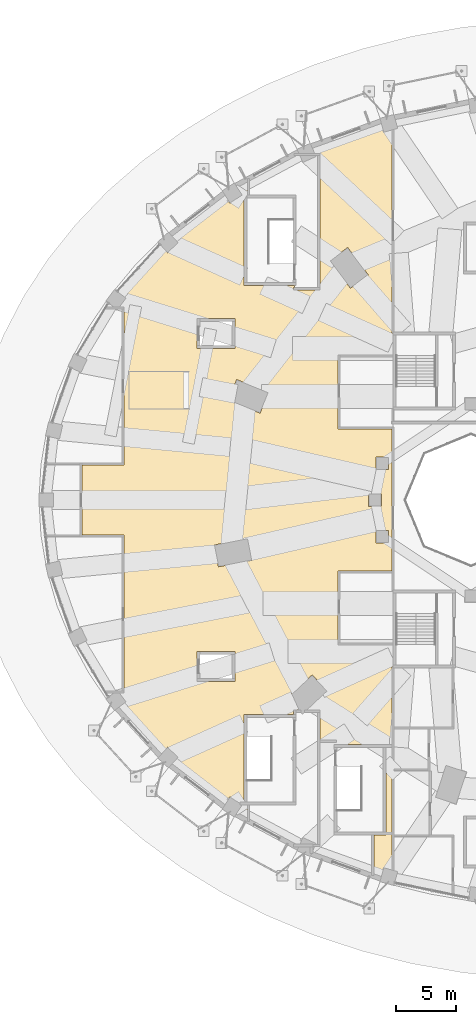
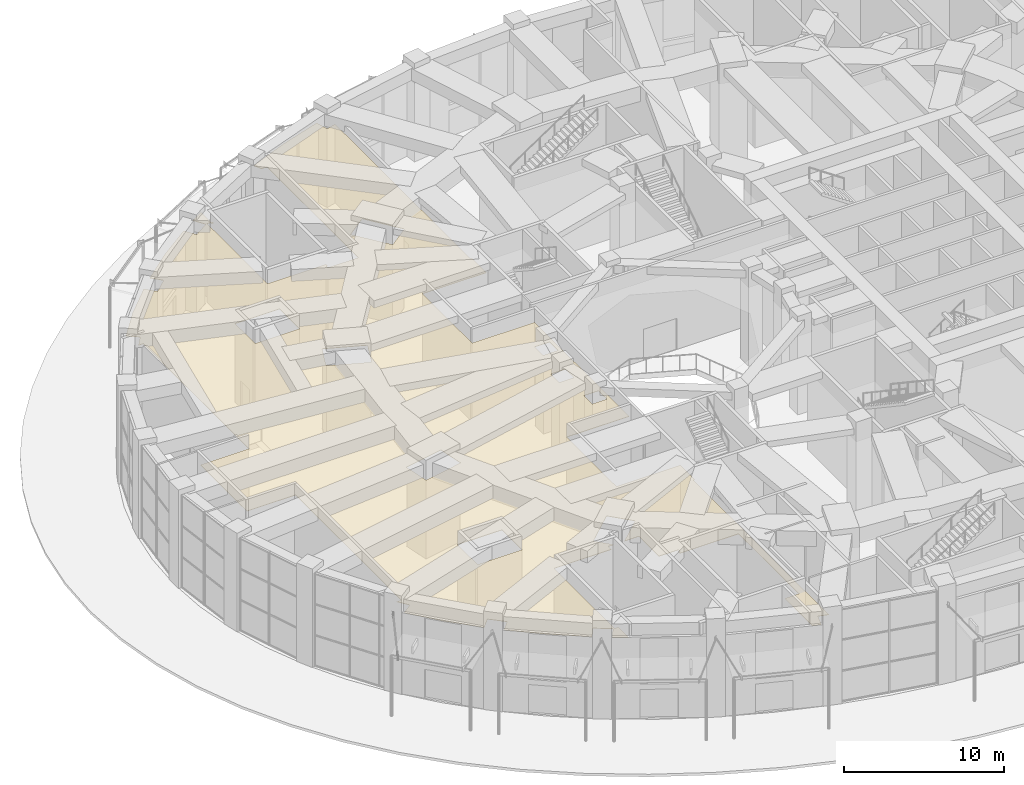
# One storey, part 55 of 60: 1 covering.
"""IFC4 building model written with IfcOpenShell, lengths in metres."""

from ifc_helpers import new_model, si_unit, direction, frame, origin, place, context, subcontext, project, spatial, polyline, outline, extrude, material, layer, layer_set, type_object, element, save


model = new_model("IFC4")

# Units and contexts
model_context = context("Model", 3, precision=1e-05, world=origin(), true_north=direction((0.0, 1.0)))
body_context = subcontext(model_context, "Body", "Model", "MODEL_VIEW")
ifc_project = project(units=[si_unit("LENGTHUNIT", "METRE"), si_unit("AREAUNIT", "SQUARE_METRE"), si_unit("VOLUMEUNIT", "CUBIC_METRE"), si_unit("PLANEANGLEUNIT", "RADIAN"), si_unit("MASSUNIT", "GRAM", prefix="KILO")], contexts=[model_context])

# Site, building, storey
site_placement = place(None, origin())
site = spatial("IfcSite", under=ifc_project, at=site_placement, CompositionType="ELEMENT")
building_placement = place(site_placement, origin())
building = spatial("IfcBuilding", under=site, at=building_placement, Name="Taillehof Tower", CompositionType="ELEMENT")
storey_placement = place(building_placement, origin())
storey = spatial("IfcBuildingStorey", under=building, at=storey_placement, Name="L00", CompositionType="ELEMENT", Elevation=0.0)

# Covering
ifc_material = material(Name="Mineral fibre ceiling tiles")
ifc_layer = layer(ifc_material, 0.030029296875)
ifc_layer_set = layer_set([ifc_layer], Name="Suspended ceiling 30 mm")
covering_type = type_object("IfcCoveringType", Name="Suspended ceiling 30 mm", PredefinedType="CEILING", material=ifc_layer_set)
covering_placement = place(storey_placement, frame((0.0, 0.0, 6.010009765625)))
element("IfcCovering", 1, at=covering_placement, inside=storey, type_object=covering_type, Name="Ceiling L00-35", PredefinedType="CEILING", context=body_context, shape_type="SweptSolid", body=[
    extrude(outline(polyline([(-35.7890625, 19.33935546875), (-33.894287109375, 21.24267578125), (-33.30322265625, 20.60107421875), (-33.30126953125, 20.598876953125), (-33.298828125, 20.59716796875), (-33.29638671875, 20.595458984375), (-33.2939453125, 20.593994140625), (-33.291015625, 20.593017578125), (-33.288330078125, 20.592041015625), (-33.285400390625, 20.591552734375), (-33.282470703125, 20.59130859375), (-33.279541015625, 20.59130859375), (-33.276611328125, 20.591552734375), (-33.273681640625, 20.59228515625), (-33.27099609375, 20.593017578125), (-33.268310546875, 20.59423828125), (-33.265625, 20.595703125), (-33.26318359375, 20.597412109375), (-33.260986328125, 20.59912109375), (-32.378173828125, 21.412109375), (-32.376220703125, 21.414306640625), (-32.374267578125, 21.41650390625), (-32.37255859375, 21.4189453125), (-32.371337890625, 21.421630859375), (-32.3701171875, 21.42431640625), (-32.369384765625, 21.42724609375), (-32.368896484375, 21.429931640625), (-32.36865234375, 21.432861328125), (-32.36865234375, 21.435791015625), (-32.368896484375, 21.438720703125), (-32.369384765625, 21.441650390625), (-32.370361328125, 21.444580078125), (-32.37158203125, 21.447265625), (-32.372802734375, 21.44970703125), (-32.37451171875, 21.4521484375), (-32.37646484375, 21.45458984375), (-32.965087890625, 22.09375), (-30.890869140625, 23.838134765625), (-28.574951171875, 25.4736328125), (-28.09912109375, 24.73974609375), (-28.097412109375, 24.7373046875), (-28.095458984375, 24.735107421875), (-28.09326171875, 24.733154296875), (-28.091064453125, 24.731201171875), (-28.08837890625, 24.729736328125), (-28.0859375, 24.728515625), (-28.0830078125, 24.7275390625), (-28.080322265625, 24.7265625), (-28.077392578125, 24.726318359375), (-28.074462890625, 24.72607421875), (-28.071533203125, 24.72607421875), (-28.068603515625, 24.7265625), (-28.065673828125, 24.727294921875), (-28.06298828125, 24.728271484375), (-28.060302734375, 24.7294921875), (-28.0576171875, 24.73095703125), (-27.05078125, 25.3837890625), (-27.04833984375, 25.385498046875), (-27.046142578125, 25.387451171875), (-27.044189453125, 25.389404296875), (-27.04248046875, 25.391845703125), (-27.040771484375, 25.394287109375), (-27.03955078125, 25.39697265625), (-27.03857421875, 25.399658203125), (-27.037841796875, 25.402587890625), (-27.037353515625, 25.405517578125), (-27.037109375, 25.408447265625), (-27.037109375, 25.411376953125), (-27.03759765625, 25.414306640625), (-27.038330078125, 25.417236328125), (-27.039306640625, 25.419921875), (-27.04052734375, 25.422607421875), (-27.0419921875, 25.42529296875), (-27.51611328125, 26.156494140625), (-26.63916015625, 26.675048828125), (-26.63916015625, 25.4150390625), (-26.539306640625, 25.4150390625), (-26.539306640625, 25.2900390625), (-26.675048828125, 25.2900390625), (-26.675048828125, 25.4150390625), (-26.925048828125, 25.4150390625), (-26.925048828125, 18.125), (-26.925048828125, 17.875), (-22.699951171875, 17.875), (-22.699951171875, 17.699951171875), (-22.800048828125, 17.699951171875), (-22.800048828125, 17.5), (-20.60009765625, 17.5), (-20.60009765625, 17.699951171875), (-20.60009765625, 28.68994140625), (-20.60009765625, 28.889892578125), (-20.994384765625, 28.889892578125), (-21.236328125, 29.432373046875), (-18.4599609375, 30.546142578125), (-15.525390625, 31.48291015625), (-15.28759765625, 30.6376953125), (-15.286865234375, 30.634765625), (-15.28564453125, 30.632080078125), (-15.2841796875, 30.629638671875), (-15.282470703125, 30.627197265625), (-15.280517578125, 30.625), (-15.2783203125, 30.622802734375), (-15.27587890625, 30.62109375), (-15.2734375, 30.61962890625), (-15.270751953125, 30.6181640625), (-15.26806640625, 30.6171875), (-15.265380859375, 30.616455078125), (-15.262451171875, 30.615966796875), (-15.259521484375, 30.61572265625), (-15.256591796875, 30.61572265625), (-15.253662109375, 30.6162109375), (-15.250732421875, 30.61669921875), (-14.60009765625, 30.7998046875), (-14.60009765625, 13.89990234375), (-14.5, 13.89990234375), (-14.5, 12.10009765625), (-18.89990234375, 12.10009765625), (-19.10009765625, 12.10009765625), (-19.10009765625, 6.10009765625), (-19.10009765625, 5.89990234375), (-14.60009765625, 5.89990234375), (-14.60009765625, -5.89990234375), (-18.89990234375, -5.89990234375), (-19.10009765625, -5.89990234375), (-19.10009765625, -11.89990234375), (-19.10009765625, -12.10009765625), (-14.5, -12.10009765625), (-14.5, -13.89990234375), (-14.60009765625, -13.89990234375), (-14.60009765625, -19.10009765625), (-14.60009765625, -22.60009765625), (-14.60009765625, -27.89990234375), (-14.60009765625, -30.7998046875), (-15.250732421875, -30.61669921875), (-15.253662109375, -30.6162109375), (-15.256591796875, -30.61572265625), (-15.259521484375, -30.61572265625), (-15.262451171875, -30.615966796875), (-15.265380859375, -30.616455078125), (-15.26806640625, -30.6171875), (-15.270751953125, -30.6181640625), (-15.2734375, -30.61962890625), (-15.27587890625, -30.62109375), (-15.2783203125, -30.622802734375), (-15.280517578125, -30.625), (-15.282470703125, -30.627197265625), (-15.2841796875, -30.629638671875), (-15.28564453125, -30.632080078125), (-15.286865234375, -30.634765625), (-15.28759765625, -30.6376953125), (-15.525390625, -31.48291015625), (-16.091796875, -31.302001953125), (-16.091796875, -27.9150390625), (-15.074951171875, -27.9150390625), (-15.074951171875, -27.6650390625), (-15.074951171875, -20.625), (-15.074951171875, -20.375), (-19.300048828125, -20.375), (-19.300048828125, -20.199951171875), (-19.199951171875, -20.199951171875), (-19.199951171875, -20.0), (-20.60009765625, -20.0), (-20.60009765625, -17.699951171875), (-20.60009765625, -17.5), (-21.63623046875, -17.5), (-19.983154296875, -15.95263671875), (-19.98095703125, -15.95068359375), (-19.979248046875, -15.9482421875), (-19.9775390625, -15.94580078125), (-19.976318359375, -15.943115234375), (-19.97509765625, -15.9404296875), (-19.974365234375, -15.937744140625), (-19.973876953125, -15.934814453125), (-19.9736328125, -15.931884765625), (-19.9736328125, -15.928955078125), (-19.97412109375, -15.926025390625), (-19.974609375, -15.923095703125), (-19.9755859375, -15.920166015625), (-19.976806640625, -15.91748046875), (-19.97802734375, -15.9150390625), (-19.979736328125, -15.91259765625), (-19.981689453125, -15.910400390625), (-21.211669921875, -14.59619140625), (-21.2138671875, -14.593994140625), (-21.216064453125, -14.59228515625), (-21.218505859375, -14.590576171875), (-21.22119140625, -14.58935546875), (-21.223876953125, -14.588134765625), (-21.226806640625, -14.58740234375), (-21.229736328125, -14.5869140625), (-21.232666015625, -14.586669921875), (-21.235595703125, -14.586669921875), (-21.238525390625, -14.5869140625), (-21.241455078125, -14.587646484375), (-21.244140625, -14.588623046875), (-21.246826171875, -14.589599609375), (-21.24951171875, -14.591064453125), (-21.251953125, -14.5927734375), (-21.254150390625, -14.5947265625), (-23.29833984375, -16.508056640625), (-23.300537109375, -16.51025390625), (-23.30224609375, -16.512451171875), (-23.303955078125, -16.514892578125), (-23.30517578125, -16.517578125), (-23.306396484375, -16.520263671875), (-23.30712890625, -16.523193359375), (-23.3076171875, -16.526123046875), (-23.307861328125, -16.529052734375), (-23.307861328125, -16.531982421875), (-23.3076171875, -16.534912109375), (-23.306884765625, -16.53759765625), (-23.305908203125, -16.54052734375), (-23.304931640625, -16.543212890625), (-23.303466796875, -16.545654296875), (-23.3017578125, -16.548095703125), (-23.2998046875, -16.550537109375), (-22.4111328125, -17.5), (-22.60009765625, -17.5), (-22.800048828125, -17.5), (-22.800048828125, -17.875), (-26.675048828125, -17.875), (-26.925048828125, -17.875), (-26.925048828125, -25.1650390625), (-26.925048828125, -25.4150390625), (-26.63916015625, -25.4150390625), (-26.63916015625, -26.675048828125), (-27.51611328125, -26.156494140625), (-27.0419921875, -25.42529296875), (-27.04052734375, -25.422607421875), (-27.039306640625, -25.419921875), (-27.038330078125, -25.417236328125), (-27.03759765625, -25.414306640625), (-27.037109375, -25.411376953125), (-27.037109375, -25.408447265625), (-27.037353515625, -25.405517578125), (-27.037841796875, -25.402587890625), (-27.03857421875, -25.399658203125), (-27.03955078125, -25.39697265625), (-27.040771484375, -25.394287109375), (-27.04248046875, -25.391845703125), (-27.044189453125, -25.389404296875), (-27.046142578125, -25.387451171875), (-27.04833984375, -25.385498046875), (-27.05078125, -25.3837890625), (-28.0576171875, -24.73095703125), (-28.060302734375, -24.7294921875), (-28.06298828125, -24.728271484375), (-28.065673828125, -24.727294921875), (-28.068603515625, -24.7265625), (-28.071533203125, -24.72607421875), (-28.074462890625, -24.72607421875), (-28.077392578125, -24.726318359375), (-28.080322265625, -24.7265625), (-28.0830078125, -24.7275390625), (-28.0859375, -24.728515625), (-28.08837890625, -24.729736328125), (-28.091064453125, -24.731201171875), (-28.09326171875, -24.733154296875), (-28.095458984375, -24.735107421875), (-28.097412109375, -24.7373046875), (-28.09912109375, -24.73974609375), (-28.574951171875, -25.4736328125), (-30.890869140625, -23.838134765625), (-32.965087890625, -22.09375), (-32.37646484375, -21.45458984375), (-32.37451171875, -21.4521484375), (-32.372802734375, -21.44970703125), (-32.37158203125, -21.447265625), (-32.370361328125, -21.444580078125), (-32.369384765625, -21.441650390625), (-32.368896484375, -21.438720703125), (-32.36865234375, -21.435791015625), (-32.36865234375, -21.432861328125), (-32.368896484375, -21.429931640625), (-32.369384765625, -21.42724609375), (-32.3701171875, -21.42431640625), (-32.371337890625, -21.421630859375), (-32.37255859375, -21.4189453125), (-32.374267578125, -21.41650390625), (-32.376220703125, -21.414306640625), (-32.378173828125, -21.412109375), (-33.260986328125, -20.59912109375), (-33.26318359375, -20.597412109375), (-33.265625, -20.595703125), (-33.268310546875, -20.59423828125), (-33.27099609375, -20.593017578125), (-33.273681640625, -20.59228515625), (-33.276611328125, -20.591552734375), (-33.279541015625, -20.59130859375), (-33.282470703125, -20.59130859375), (-33.285400390625, -20.591552734375), (-33.288330078125, -20.592041015625), (-33.291015625, -20.593017578125), (-33.2939453125, -20.593994140625), (-33.29638671875, -20.595458984375), (-33.298828125, -20.59716796875), (-33.30126953125, -20.598876953125), (-33.30322265625, -20.60107421875), (-33.894287109375, -21.24267578125), (-35.7890625, -19.33935546875), (-37.421875, -17.3642578125), (-36.727783203125, -16.845458984375), (-36.7255859375, -16.84375), (-36.723388671875, -16.841552734375), (-36.7216796875, -16.83935546875), (-36.719970703125, -16.8369140625), (-36.718505859375, -16.834228515625), (-36.717529296875, -16.83154296875), (-36.716552734375, -16.82861328125), (-36.716064453125, -16.825927734375), (-36.7158203125, -16.822998046875), (-36.7158203125, -16.820068359375), (-36.716064453125, -16.817138671875), (-36.716552734375, -16.814208984375), (-36.717529296875, -16.811279296875), (-36.71875, -16.80859375), (-36.719970703125, -16.805908203125), (-36.7216796875, -16.803466796875), (-37.247314453125, -16.10009765625), (-36.89990234375, -16.10009765625), (-36.89990234375, -15.89990234375), (-36.89990234375, -3.10009765625), (-36.89990234375, -2.89990234375), (-40.39990234375, -2.89990234375), (-40.39990234375, 2.89990234375), (-36.89990234375, 2.89990234375), (-36.89990234375, 3.10009765625), (-36.89990234375, 15.89990234375), (-36.89990234375, 16.10009765625), (-37.247314453125, 16.10009765625), (-36.7216796875, 16.803466796875), (-36.719970703125, 16.805908203125), (-36.71875, 16.80859375), (-36.717529296875, 16.811279296875), (-36.716552734375, 16.814208984375), (-36.716064453125, 16.817138671875), (-36.7158203125, 16.820068359375), (-36.7158203125, 16.822998046875), (-36.716064453125, 16.825927734375), (-36.716552734375, 16.82861328125), (-36.717529296875, 16.83154296875), (-36.718505859375, 16.834228515625), (-36.719970703125, 16.8369140625), (-36.7216796875, 16.83935546875), (-36.723388671875, 16.841552734375), (-36.7255859375, 16.84375), (-36.727783203125, 16.845458984375), (-37.421875, 17.3642578125), (-35.7890625, 19.33935546875)]), holes=[polyline([(-30.60009765625, -12.625), (-30.85009765625, -12.625), (-30.85009765625, -14.875), (-30.85009765625, -15.125), (-27.64990234375, -15.125), (-27.64990234375, -14.875), (-27.64990234375, -12.875), (-27.64990234375, -12.625), (-30.60009765625, -12.625)]), polyline([(-27.64990234375, 15.125), (-30.60009765625, 15.125), (-30.85009765625, 15.125), (-30.85009765625, 12.875), (-30.85009765625, 12.625), (-27.64990234375, 12.625), (-27.64990234375, 12.875), (-27.64990234375, 14.875), (-27.64990234375, 15.125)]), polyline([(-26.614990234375, -3.201904296875), (-26.617919921875, -3.201416015625), (-26.620849609375, -3.201416015625), (-26.623779296875, -3.201416015625), (-26.626708984375, -3.201904296875), (-29.3740234375, -3.7421875), (-29.376708984375, -3.742919921875), (-29.379638671875, -3.743896484375), (-29.38232421875, -3.7451171875), (-29.384765625, -3.746826171875), (-29.38720703125, -3.74853515625), (-29.389404296875, -3.75048828125), (-29.391357421875, -3.752685546875), (-29.39306640625, -3.7548828125), (-29.39453125, -3.757568359375), (-29.395751953125, -3.76025390625), (-29.39697265625, -3.762939453125), (-29.397705078125, -3.765869140625), (-29.39794921875, -3.768798828125), (-29.398193359375, -3.771728515625), (-29.39794921875, -3.774658203125), (-29.397705078125, -3.777587890625), (-29.05029296875, -5.543701171875), (-29.049560546875, -5.546630859375), (-29.048583984375, -5.54931640625), (-29.04736328125, -5.552001953125), (-29.0458984375, -5.554443359375), (-29.0439453125, -5.556884765625), (-29.0419921875, -5.55908203125), (-29.039794921875, -5.56103515625), (-29.03759765625, -5.562744140625), (-29.034912109375, -5.564208984375), (-29.032470703125, -5.565673828125), (-29.029541015625, -5.566650390625), (-29.02685546875, -5.5673828125), (-29.02392578125, -5.567626953125), (-29.02099609375, -5.56787109375), (-29.01806640625, -5.567626953125), (-29.01513671875, -5.5673828125), (-26.267578125, -5.02685546875), (-26.264892578125, -5.0263671875), (-26.261962890625, -5.025390625), (-26.25927734375, -5.02392578125), (-26.2568359375, -5.0224609375), (-26.25439453125, -5.020751953125), (-26.252197265625, -5.018798828125), (-26.250244140625, -5.0166015625), (-26.24853515625, -5.01416015625), (-26.2470703125, -5.01171875), (-26.245849609375, -5.009033203125), (-26.244873046875, -5.00634765625), (-26.244140625, -5.00341796875), (-26.24365234375, -5.00048828125), (-26.243408203125, -4.99755859375), (-26.24365234375, -4.99462890625), (-26.244140625, -4.99169921875), (-26.59130859375, -3.2255859375), (-26.592041015625, -3.22265625), (-26.593017578125, -3.219970703125), (-26.59423828125, -3.21728515625), (-26.595947265625, -3.21484375), (-26.59765625, -3.21240234375), (-26.599609375, -3.210205078125), (-26.601806640625, -3.208251953125), (-26.60400390625, -3.20654296875), (-26.606689453125, -3.204833984375), (-26.609375, -3.20361328125), (-26.612060546875, -3.20263671875), (-26.614990234375, -3.201904296875)]), polyline([(-15.902587890625, -3.589111328125), (-15.899658203125, -3.590087890625), (-15.89697265625, -3.5908203125), (-15.89404296875, -3.59130859375), (-15.89111328125, -3.591552734375), (-14.89111328125, -3.591552734375), (-14.88818359375, -3.59130859375), (-14.88525390625, -3.5908203125), (-14.88232421875, -3.590087890625), (-14.879638671875, -3.589111328125), (-14.876953125, -3.587890625), (-14.874267578125, -3.58642578125), (-14.8720703125, -3.584716796875), (-14.869873046875, -3.582763671875), (-14.867919921875, -3.58056640625), (-14.8662109375, -3.578125), (-14.864501953125, -3.57568359375), (-14.86328125, -3.572998046875), (-14.8623046875, -3.570068359375), (-14.861572265625, -3.5673828125), (-14.861083984375, -3.564453125), (-14.861083984375, -3.5615234375), (-14.861083984375, -2.5615234375), (-14.861083984375, -2.55859375), (-14.861572265625, -2.5556640625), (-14.8623046875, -2.552734375), (-14.86328125, -2.550048828125), (-14.864501953125, -2.54736328125), (-14.8662109375, -2.544921875), (-14.867919921875, -2.54248046875), (-14.869873046875, -2.540283203125), (-14.8720703125, -2.538330078125), (-14.874267578125, -2.53662109375), (-14.876953125, -2.534912109375), (-14.879638671875, -2.53369140625), (-14.88232421875, -2.53271484375), (-14.88525390625, -2.531982421875), (-14.88818359375, -2.531494140625), (-14.89111328125, -2.531494140625), (-15.89111328125, -2.531494140625), (-15.89404296875, -2.531494140625), (-15.89697265625, -2.531982421875), (-15.899658203125, -2.53271484375), (-15.902587890625, -2.53369140625), (-15.9052734375, -2.534912109375), (-15.90771484375, -2.53662109375), (-15.91015625, -2.538330078125), (-15.912353515625, -2.540283203125), (-15.914306640625, -2.54248046875), (-15.916015625, -2.544921875), (-15.91748046875, -2.54736328125), (-15.918701171875, -2.550048828125), (-15.919677734375, -2.552734375), (-15.92041015625, -2.5556640625), (-15.9208984375, -2.55859375), (-15.921142578125, -2.5615234375), (-15.921142578125, -3.5615234375), (-15.9208984375, -3.564453125), (-15.92041015625, -3.5673828125), (-15.919677734375, -3.570068359375), (-15.918701171875, -3.572998046875), (-15.91748046875, -3.57568359375), (-15.916015625, -3.578125), (-15.914306640625, -3.58056640625), (-15.912353515625, -3.582763671875), (-15.91015625, -3.584716796875), (-15.90771484375, -3.58642578125), (-15.9052734375, -3.587890625), (-15.902587890625, -3.589111328125)]), polyline([(-16.511474609375, -0.52783203125), (-16.5087890625, -0.52880859375), (-16.505859375, -0.529541015625), (-16.5029296875, -0.52978515625), (-16.5, -0.530029296875), (-15.5, -0.530029296875), (-15.4970703125, -0.52978515625), (-15.494140625, -0.529541015625), (-15.4912109375, -0.52880859375), (-15.488525390625, -0.52783203125), (-15.48583984375, -0.5263671875), (-15.4833984375, -0.52490234375), (-15.48095703125, -0.523193359375), (-15.478759765625, -0.521240234375), (-15.476806640625, -0.51904296875), (-15.47509765625, -0.5166015625), (-15.4736328125, -0.51416015625), (-15.47216796875, -0.511474609375), (-15.47119140625, -0.5087890625), (-15.470458984375, -0.505859375), (-15.47021484375, -0.5029296875), (-15.469970703125, -0.5), (-15.469970703125, 0.5), (-15.47021484375, 0.5029296875), (-15.470458984375, 0.505859375), (-15.47119140625, 0.5087890625), (-15.47216796875, 0.511474609375), (-15.4736328125, 0.51416015625), (-15.47509765625, 0.5166015625), (-15.476806640625, 0.51904296875), (-15.478759765625, 0.521240234375), (-15.48095703125, 0.523193359375), (-15.4833984375, 0.52490234375), (-15.48583984375, 0.5263671875), (-15.488525390625, 0.52783203125), (-15.4912109375, 0.52880859375), (-15.494140625, 0.529541015625), (-15.4970703125, 0.52978515625), (-15.5, 0.530029296875), (-16.5, 0.530029296875), (-16.5029296875, 0.52978515625), (-16.505859375, 0.529541015625), (-16.5087890625, 0.52880859375), (-16.511474609375, 0.52783203125), (-16.51416015625, 0.5263671875), (-16.5166015625, 0.52490234375), (-16.51904296875, 0.523193359375), (-16.521240234375, 0.521240234375), (-16.523193359375, 0.51904296875), (-16.52490234375, 0.5166015625), (-16.5263671875, 0.51416015625), (-16.52783203125, 0.511474609375), (-16.52880859375, 0.5087890625), (-16.529541015625, 0.505859375), (-16.52978515625, 0.5029296875), (-16.530029296875, 0.5), (-16.530029296875, -0.5), (-16.52978515625, -0.5029296875), (-16.529541015625, -0.505859375), (-16.52880859375, -0.5087890625), (-16.52783203125, -0.511474609375), (-16.5263671875, -0.51416015625), (-16.52490234375, -0.5166015625), (-16.523193359375, -0.51904296875), (-16.521240234375, -0.521240234375), (-16.51904296875, -0.523193359375), (-16.5166015625, -0.52490234375), (-16.51416015625, -0.5263671875), (-16.511474609375, -0.52783203125)]), polyline([(-15.902587890625, 2.53369140625), (-15.899658203125, 2.53271484375), (-15.89697265625, 2.531982421875), (-15.89404296875, 2.531494140625), (-15.89111328125, 2.531494140625), (-14.89111328125, 2.531494140625), (-14.88818359375, 2.531494140625), (-14.88525390625, 2.531982421875), (-14.88232421875, 2.53271484375), (-14.879638671875, 2.53369140625), (-14.876953125, 2.534912109375), (-14.874267578125, 2.53662109375), (-14.8720703125, 2.538330078125), (-14.869873046875, 2.540283203125), (-14.867919921875, 2.54248046875), (-14.8662109375, 2.544921875), (-14.864501953125, 2.54736328125), (-14.86328125, 2.550048828125), (-14.8623046875, 2.552734375), (-14.861572265625, 2.5556640625), (-14.861083984375, 2.55859375), (-14.861083984375, 2.5615234375), (-14.861083984375, 3.5615234375), (-14.861083984375, 3.564453125), (-14.861572265625, 3.5673828125), (-14.8623046875, 3.570068359375), (-14.86328125, 3.572998046875), (-14.864501953125, 3.57568359375), (-14.8662109375, 3.578125), (-14.867919921875, 3.58056640625), (-14.869873046875, 3.582763671875), (-14.8720703125, 3.584716796875), (-14.874267578125, 3.58642578125), (-14.876953125, 3.587890625), (-14.879638671875, 3.589111328125), (-14.88232421875, 3.590087890625), (-14.88525390625, 3.5908203125), (-14.88818359375, 3.59130859375), (-14.89111328125, 3.591552734375), (-15.89111328125, 3.591552734375), (-15.89404296875, 3.59130859375), (-15.89697265625, 3.5908203125), (-15.899658203125, 3.590087890625), (-15.902587890625, 3.589111328125), (-15.9052734375, 3.587890625), (-15.90771484375, 3.58642578125), (-15.91015625, 3.584716796875), (-15.912353515625, 3.582763671875), (-15.914306640625, 3.58056640625), (-15.916015625, 3.578125), (-15.91748046875, 3.57568359375), (-15.918701171875, 3.572998046875), (-15.919677734375, 3.570068359375), (-15.92041015625, 3.5673828125), (-15.9208984375, 3.564453125), (-15.921142578125, 3.5615234375), (-15.921142578125, 2.5615234375), (-15.9208984375, 2.55859375), (-15.92041015625, 2.5556640625), (-15.919677734375, 2.552734375), (-15.918701171875, 2.550048828125), (-15.91748046875, 2.54736328125), (-15.916015625, 2.544921875), (-15.914306640625, 2.54248046875), (-15.912353515625, 2.540283203125), (-15.91015625, 2.538330078125), (-15.90771484375, 2.53662109375), (-15.9052734375, 2.534912109375), (-15.902587890625, 2.53369140625)]), polyline([(-24.8896484375, 8.964599609375), (-24.891845703125, 8.966552734375), (-24.89404296875, 8.96826171875), (-24.896728515625, 8.969970703125), (-24.8994140625, 8.97119140625), (-27.49365234375, 10.0244140625), (-27.496337890625, 10.025390625), (-27.499267578125, 10.02587890625), (-27.502197265625, 10.0263671875), (-27.505126953125, 10.026611328125), (-27.508056640625, 10.0263671875), (-27.510986328125, 10.02587890625), (-27.513916015625, 10.025146484375), (-27.5166015625, 10.024169921875), (-27.519287109375, 10.02294921875), (-27.521728515625, 10.021240234375), (-27.524169921875, 10.01953125), (-27.5263671875, 10.017578125), (-27.5283203125, 10.015380859375), (-27.530029296875, 10.012939453125), (-27.531494140625, 10.010498046875), (-27.53271484375, 10.0078125), (-28.209716796875, 8.340087890625), (-28.210693359375, 8.337158203125), (-28.21142578125, 8.33447265625), (-28.2119140625, 8.33154296875), (-28.2119140625, 8.32861328125), (-28.2119140625, 8.32568359375), (-28.21142578125, 8.32275390625), (-28.210693359375, 8.31982421875), (-28.209716796875, 8.317138671875), (-28.20849609375, 8.314453125), (-28.206787109375, 8.311767578125), (-28.205078125, 8.3095703125), (-28.203125, 8.307373046875), (-28.200927734375, 8.305419921875), (-28.198486328125, 8.3037109375), (-28.196044921875, 8.30224609375), (-28.193359375, 8.301025390625), (-25.598876953125, 7.247802734375), (-25.59619140625, 7.246826171875), (-25.59326171875, 7.24609375), (-25.59033203125, 7.24560546875), (-25.58740234375, 7.24560546875), (-25.58447265625, 7.24560546875), (-25.58154296875, 7.24609375), (-25.578857421875, 7.246826171875), (-25.575927734375, 7.247802734375), (-25.5732421875, 7.2490234375), (-25.57080078125, 7.250732421875), (-25.568359375, 7.25244140625), (-25.56640625, 7.25439453125), (-25.564453125, 7.256591796875), (-25.5625, 7.259033203125), (-25.56103515625, 7.261474609375), (-25.559814453125, 7.26416015625), (-24.8828125, 8.93212890625), (-24.8818359375, 8.934814453125), (-24.881103515625, 8.937744140625), (-24.880615234375, 8.940673828125), (-24.880615234375, 8.943603515625), (-24.880859375, 8.946533203125), (-24.881103515625, 8.949462890625), (-24.8818359375, 8.9521484375), (-24.883056640625, 8.955078125), (-24.88427734375, 8.95751953125), (-24.8857421875, 8.960205078125), (-24.887451171875, 8.96240234375), (-24.8896484375, 8.964599609375)]), polyline([(-16.56884765625, 18.7724609375), (-16.56982421875, 18.775146484375), (-16.57080078125, 18.77783203125), (-16.572265625, 18.780517578125), (-16.573974609375, 18.782958984375), (-18.25732421875, 21.0205078125), (-18.259033203125, 21.022705078125), (-18.26123046875, 21.02490234375), (-18.263427734375, 21.026611328125), (-18.265869140625, 21.0283203125), (-18.2685546875, 21.029541015625), (-18.271240234375, 21.03076171875), (-18.274169921875, 21.031494140625), (-18.277099609375, 21.0322265625), (-18.280029296875, 21.032470703125), (-18.282958984375, 21.032470703125), (-18.285888671875, 21.031982421875), (-18.28857421875, 21.031494140625), (-18.29150390625, 21.030517578125), (-18.294189453125, 21.029541015625), (-18.296875, 21.028076171875), (-18.29931640625, 21.0263671875), (-19.737548828125, 19.9443359375), (-19.739990234375, 19.9423828125), (-19.741943359375, 19.9404296875), (-19.743896484375, 19.93798828125), (-19.745361328125, 19.935546875), (-19.746826171875, 19.932861328125), (-19.747802734375, 19.93017578125), (-19.748779296875, 19.927490234375), (-19.749267578125, 19.924560546875), (-19.74951171875, 19.921630859375), (-19.74951171875, 19.918701171875), (-19.749267578125, 19.915771484375), (-19.74853515625, 19.912841796875), (-19.747802734375, 19.909912109375), (-19.74658203125, 19.9072265625), (-19.7451171875, 19.90478515625), (-19.74365234375, 19.90234375), (-18.060302734375, 17.664794921875), (-18.058349609375, 17.66259765625), (-18.056396484375, 17.660400390625), (-18.053955078125, 17.65869140625), (-18.051513671875, 17.656982421875), (-18.049072265625, 17.655517578125), (-18.046142578125, 17.654541015625), (-18.04345703125, 17.653564453125), (-18.04052734375, 17.653076171875), (-18.03759765625, 17.65283203125), (-18.03466796875, 17.65283203125), (-18.03173828125, 17.653076171875), (-18.02880859375, 17.65380859375), (-18.026123046875, 17.654541015625), (-18.023193359375, 17.65576171875), (-18.020751953125, 17.6572265625), (-18.018310546875, 17.658935546875), (-16.579833984375, 18.740966796875), (-16.57763671875, 18.742919921875), (-16.575439453125, 18.744873046875), (-16.57373046875, 18.747314453125), (-16.572021484375, 18.749755859375), (-16.57080078125, 18.752197265625), (-16.569580078125, 18.7548828125), (-16.56884765625, 18.7578125), (-16.568115234375, 18.7607421875), (-16.56787109375, 18.763671875), (-16.56787109375, 18.7666015625), (-16.568359375, 18.76953125), (-16.56884765625, 18.7724609375)])]), origin(), (0.0, 0.0, 1.0), 0.030029296875),
])

save(model, "model.ifc")
